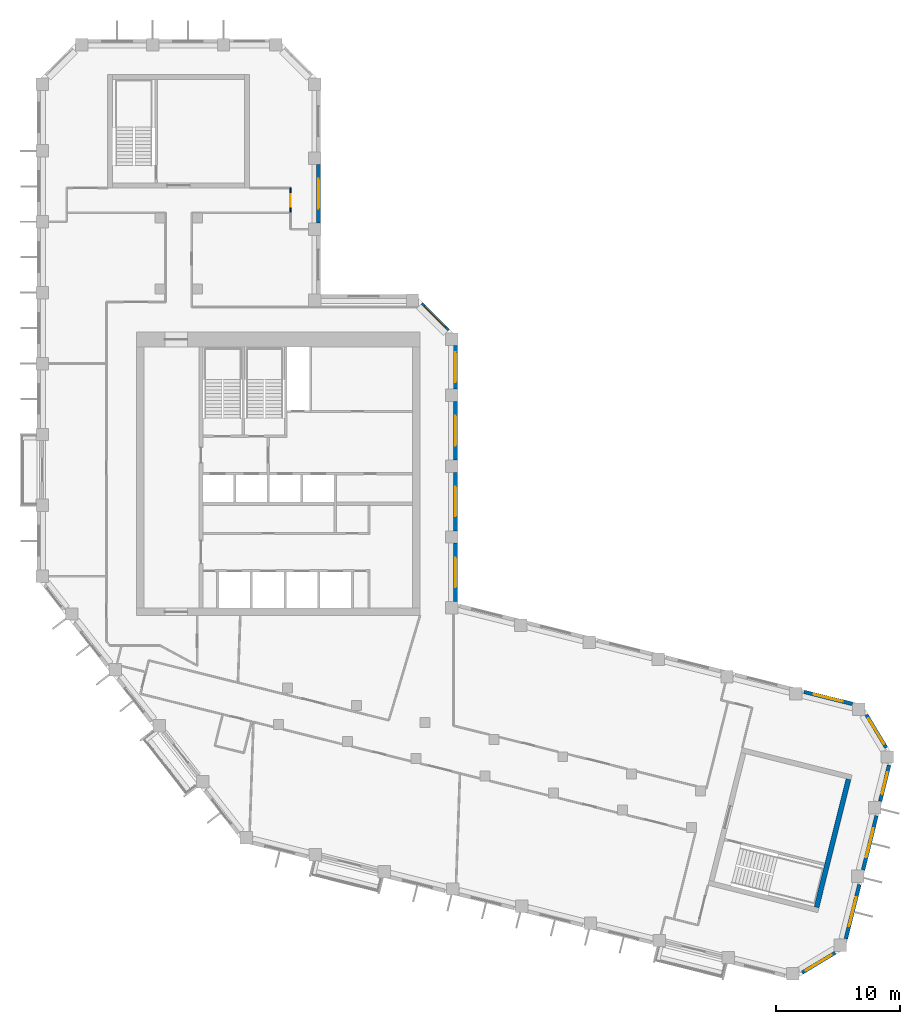
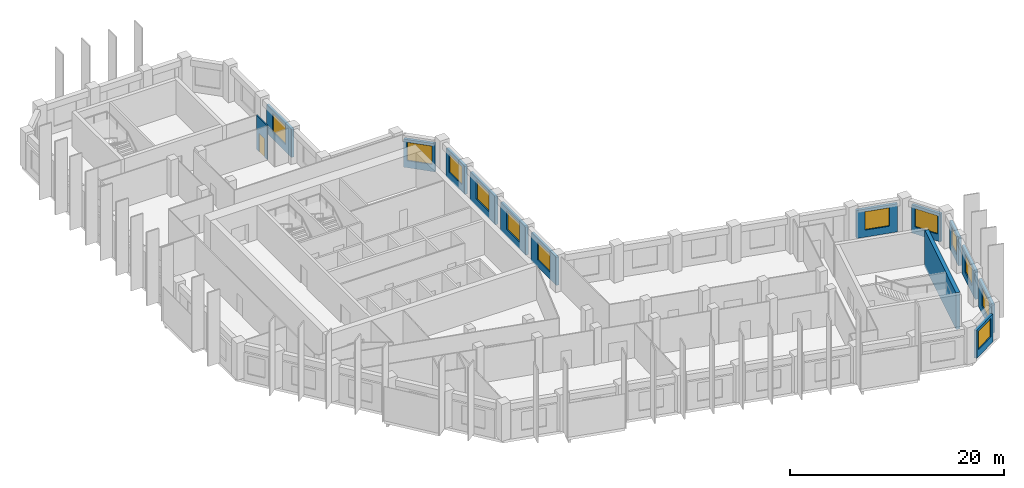
# One storey, part 7 of 9: 14 walls, 12 windows, 1 door, 13 openings.
"""IFC4 building model written with IfcOpenShell, lengths in metres."""

from ifc_helpers import new_model, si_unit, direction, frame, frame_2d, origin, place, context, subcontext, project, spatial, rectangle, extrude, material, layer, layer_set, type_object, element, fill, save


model = new_model("IFC4")

# Units and contexts
model_context = context("Model", 3, precision=1e-05, world=origin(), true_north=direction((0.0, 1.0)))
body_context = subcontext(model_context, "Body", "Model", "MODEL_VIEW")
ifc_project = project(units=[si_unit("LENGTHUNIT", "METRE"), si_unit("AREAUNIT", "SQUARE_METRE"), si_unit("VOLUMEUNIT", "CUBIC_METRE"), si_unit("PLANEANGLEUNIT", "RADIAN"), si_unit("MASSUNIT", "GRAM", prefix="KILO")], contexts=[model_context])

# Site, building, storey
site_placement = place(None, origin())
site = spatial("IfcSite", under=ifc_project, at=site_placement, CompositionType="ELEMENT")
building_placement = place(site_placement, origin())
building = spatial("IfcBuilding", under=site, at=building_placement, Name="Meshkara Civic Tower", CompositionType="ELEMENT")
storey_placement = place(building_placement, frame((0.0, 0.0, 340.199951171875)))
storey = spatial("IfcBuildingStorey", under=building, at=storey_placement, Name="L78", CompositionType="ELEMENT", Elevation=340.199951171875)

# Wall, opening, door
ifc_material_1 = material(Name="Corridor wall 100")
ifc_layer_1 = layer(ifc_material_1, 0.10009765625)
ifc_layer_set_1 = layer_set([ifc_layer_1], Name="Corridor wall 100")
wall_type_1 = type_object("IfcWallType", Name="Corridor wall 100", PredefinedType="PARTITIONING", material=ifc_layer_set_1)
wall_1_placement = place(storey_placement, frame((20.39990234375, 46.469970703125, 0.0), z_axis=(0.0, 0.0, 1.0), x_axis=(0.0, 1.0, 0.0)))
wall_1 = element("IfcWall", 1, at=wall_1_placement, inside=storey, type_object=wall_type_1, Name="L78-W018", PredefinedType="PARTITIONING", context=body_context, shape_type="SweptSolid", body=[
    extrude(rectangle(XDim=2.0, YDim=0.10009765625, at=frame_2d((1.0, 0.0))), origin(), (0.0, 0.0, 1.0), 3.900146484375),
])
opening_1_placement = place(wall_1_placement, frame((0.47998046875, 0.0, 0.0)))
opening_1 = element("IfcOpeningElement", 2, at=opening_1_placement, cuts=wall_1, Name="Opening L78-D017", PredefinedType="OPENING", context=body_context, shape_type="SweptSolid", body=[
    extrude(rectangle(XDim=1.0, YDim=2.10009765625, at=frame_2d((0.5, 1.050048828125))), frame((0.0, 0.06005859375, 0.0), z_axis=(0.0, -1.0, 0.0), x_axis=(1.0, 0.0, 0.0)), (0.0, 0.0, 1.0), 0.1201171875),
])
ifc_material_2 = material(Name="Door 1000 x 2100")
door_type = type_object("IfcDoorType", Name="Door 1000 x 2100", OperationType="SINGLE_SWING_LEFT", PredefinedType="DOOR", material=ifc_material_2)
door_placement = place(opening_1_placement, origin())
door = element("IfcDoor", 3, at=door_placement, inside=storey, type_object=door_type, Name="L78-D017", OperationType="SINGLE_SWING_RIGHT", OverallHeight=2.10009765625, OverallWidth=1.0, PredefinedType="DOOR", context=body_context, shape_type="SweptSolid", body=[
    extrude(rectangle(XDim=1.0, YDim=2.10009765625, at=frame_2d((0.5, 1.050048828125))), frame((0.0, 0.02490234375, 0.0), z_axis=(0.0, -1.0, 0.0), x_axis=(1.0, 0.0, 0.0)), (0.0, 0.0, 1.0), 0.050048828125),
])
fill(opening_1, door)

# Wall, opening, window
ifc_material_3 = material(Name="Insulated infill panel with bronze anodised aluminium cladding", Category="aluminium")
ifc_layer_2 = layer(ifc_material_3, 0.300048828125)
ifc_layer_set_2 = layer_set([ifc_layer_2], Name="EXTERNAL INFILL WALL 300")
wall_type_2 = type_object("IfcWallType", Name="EXTERNAL INFILL WALL 300", PredefinedType="SOLIDWALL", material=ifc_layer_set_2)
wall_2_placement = place(storey_placement, frame((65.548095703125, 7.0, 0.0), z_axis=(0.0, 0.0, 1.0), x_axis=(-0.970260773365, 0.242062040951, 0.0)))
wall_2 = element("IfcWall", 4, at=wall_2_placement, inside=storey, type_object=wall_type_2, Name="External wall", PredefinedType="SOLIDWALL", context=body_context, shape_type="SweptSolid", body=[
    extrude(rectangle(XDim=4.003173828125, YDim=0.300048828125, at=frame_2d((2.00146484375, 0.0))), origin(), (0.0, 0.0, 1.0), 3.199951171875),
])
opening_2_placement = place(wall_2_placement, frame((0.801025390625, 0.0, 0.800048828125)))
opening_2 = element("IfcOpeningElement", 5, at=opening_2_placement, cuts=wall_2, Name="Opening W7", PredefinedType="OPENING", context=body_context, shape_type="SweptSolid", body=[
    extrude(rectangle(XDim=2.39990234375, YDim=2.10009765625, at=frame_2d((1.199951171875, 1.050048828125))), frame((0.0, 0.159912109375, 0.0), z_axis=(0.0, -1.0, 0.0), x_axis=(1.0, 0.0, 0.0)), (0.0, 0.0, 1.0), 0.320068359375),
])
ifc_material_4 = material(Name="Tinted double glazing", Category="glass")
window_type_1 = type_object("IfcWindowType", Name="WINDOW 2400x2100", PartitioningType="DOUBLE_PANEL_VERTICAL", PredefinedType="WINDOW", material=ifc_material_4)
window_1_placement = place(opening_2_placement, origin())
window_1 = element("IfcWindow", 6, at=window_1_placement, inside=storey, type_object=window_type_1, Name="Window", OverallHeight=2.10009765625, OverallWidth=2.39990234375, PartitioningType="DOUBLE_PANEL_VERTICAL", PredefinedType="WINDOW", context=body_context, shape_type="SweptSolid", body=[
    extrude(rectangle(XDim=2.39990234375, YDim=2.10009765625, at=frame_2d((1.199951171875, 1.050048828125))), frame((0.0, 0.030029296875, 0.0), z_axis=(0.0, -1.0, 0.0), x_axis=(1.0, 0.0, 0.0)), (0.0, 0.0, 1.0), 0.06005859375),
])
fill(opening_2, window_1)

wall_3_placement = place(storey_placement, frame((33.64990234375, 15.218994140625, 0.0), z_axis=(0.0, 0.0, 1.0), x_axis=(0.0, 1.0, 0.0)))
wall_3 = element("IfcWall", 7, at=wall_3_placement, inside=storey, type_object=wall_type_2, Name="External wall", PredefinedType="SOLIDWALL", context=body_context, shape_type="SweptSolid", body=[
    extrude(rectangle(XDim=4.699951171875, YDim=0.300048828125, at=frame_2d((2.35009765625, 0.0))), origin(), (0.0, 0.0, 1.0), 3.199951171875),
])
opening_3_placement = place(wall_3_placement, frame((1.14990234375, 0.0, 0.800048828125)))
opening_3 = element("IfcOpeningElement", 8, at=opening_3_placement, cuts=wall_3, Name="Opening W7", PredefinedType="OPENING", context=body_context, shape_type="SweptSolid", body=[
    extrude(rectangle(XDim=2.39990234375, YDim=2.10009765625, at=frame_2d((1.199951171875, 1.050048828125))), frame((0.0, 0.159912109375, 0.0), z_axis=(0.0, -1.0, 0.0), x_axis=(1.0, 0.0, 0.0)), (0.0, 0.0, 1.0), 0.320068359375),
])
window_2_placement = place(opening_3_placement, origin())
window_2 = element("IfcWindow", 9, at=window_2_placement, inside=storey, type_object=window_type_1, Name="Window", OverallHeight=2.10009765625, OverallWidth=2.39990234375, PartitioningType="DOUBLE_PANEL_VERTICAL", PredefinedType="WINDOW", context=body_context, shape_type="SweptSolid", body=[
    extrude(rectangle(XDim=2.39990234375, YDim=2.10009765625, at=frame_2d((1.199951171875, 1.050048828125))), frame((0.0, 0.030029296875, 0.0), z_axis=(0.0, -1.0, 0.0), x_axis=(1.0, 0.0, 0.0)), (0.0, 0.0, 1.0), 0.06005859375),
])
fill(opening_3, window_2)

wall_4_placement = place(storey_placement, frame((33.64990234375, 20.9189453125, 0.0), z_axis=(0.0, 0.0, 1.0), x_axis=(0.0, 1.0, 0.0)))
wall_4 = element("IfcWall", 10, at=wall_4_placement, inside=storey, type_object=wall_type_2, Name="External wall", PredefinedType="SOLIDWALL", context=body_context, shape_type="SweptSolid", body=[
    extrude(rectangle(XDim=4.699951171875, YDim=0.300048828125, at=frame_2d((2.35009765625, 0.0))), origin(), (0.0, 0.0, 1.0), 3.199951171875),
])
opening_4_placement = place(wall_4_placement, frame((1.14990234375, 0.0, 0.800048828125)))
opening_4 = element("IfcOpeningElement", 11, at=opening_4_placement, cuts=wall_4, Name="Opening W7", PredefinedType="OPENING", context=body_context, shape_type="SweptSolid", body=[
    extrude(rectangle(XDim=2.39990234375, YDim=2.10009765625, at=frame_2d((1.199951171875, 1.050048828125))), frame((0.0, 0.159912109375, 0.0), z_axis=(0.0, -1.0, 0.0), x_axis=(1.0, 0.0, 0.0)), (0.0, 0.0, 1.0), 0.320068359375),
])
window_3_placement = place(opening_4_placement, origin())
window_3 = element("IfcWindow", 12, at=window_3_placement, inside=storey, type_object=window_type_1, Name="Window", OverallHeight=2.10009765625, OverallWidth=2.39990234375, PartitioningType="DOUBLE_PANEL_VERTICAL", PredefinedType="WINDOW", context=body_context, shape_type="SweptSolid", body=[
    extrude(rectangle(XDim=2.39990234375, YDim=2.10009765625, at=frame_2d((1.199951171875, 1.050048828125))), frame((0.0, 0.030029296875, 0.0), z_axis=(0.0, -1.0, 0.0), x_axis=(1.0, 0.0, 0.0)), (0.0, 0.0, 1.0), 0.06005859375),
])
fill(opening_4, window_3)

wall_5_placement = place(storey_placement, frame((33.64990234375, 26.618896484375, 0.0), z_axis=(0.0, 0.0, 1.0), x_axis=(0.0, 1.0, 0.0)))
wall_5 = element("IfcWall", 13, at=wall_5_placement, inside=storey, type_object=wall_type_2, Name="External wall", PredefinedType="SOLIDWALL", context=body_context, shape_type="SweptSolid", body=[
    extrude(rectangle(XDim=4.7001953125, YDim=0.300048828125, at=frame_2d((2.35009765625, 0.0))), origin(), (0.0, 0.0, 1.0), 3.199951171875),
])
opening_5_placement = place(wall_5_placement, frame((1.14990234375, 0.0, 0.800048828125)))
opening_5 = element("IfcOpeningElement", 14, at=opening_5_placement, cuts=wall_5, Name="Opening W7", PredefinedType="OPENING", context=body_context, shape_type="SweptSolid", body=[
    extrude(rectangle(XDim=2.39990234375, YDim=2.10009765625, at=frame_2d((1.199951171875, 1.050048828125))), frame((0.0, 0.159912109375, 0.0), z_axis=(0.0, -1.0, 0.0), x_axis=(1.0, 0.0, 0.0)), (0.0, 0.0, 1.0), 0.320068359375),
])
window_4_placement = place(opening_5_placement, origin())
window_4 = element("IfcWindow", 15, at=window_4_placement, inside=storey, type_object=window_type_1, Name="Window", OverallHeight=2.10009765625, OverallWidth=2.39990234375, PartitioningType="DOUBLE_PANEL_VERTICAL", PredefinedType="WINDOW", context=body_context, shape_type="SweptSolid", body=[
    extrude(rectangle(XDim=2.39990234375, YDim=2.10009765625, at=frame_2d((1.199951171875, 1.050048828125))), frame((0.0, 0.030029296875, 0.0), z_axis=(0.0, -1.0, 0.0), x_axis=(1.0, 0.0, 0.0)), (0.0, 0.0, 1.0), 0.06005859375),
])
fill(opening_5, window_4)

wall_6_placement = place(storey_placement, frame((33.64990234375, 32.319091796875, 0.0), z_axis=(0.0, 0.0, 1.0), x_axis=(0.0, 1.0, 0.0)))
wall_6 = element("IfcWall", 16, at=wall_6_placement, inside=storey, type_object=wall_type_2, Name="External wall", PredefinedType="SOLIDWALL", context=body_context, shape_type="SweptSolid", body=[
    extrude(rectangle(XDim=3.474853515625, YDim=0.300048828125, at=frame_2d((1.7373046875, 0.0))), origin(), (0.0, 0.0, 1.0), 3.199951171875),
])
opening_6_placement = place(wall_6_placement, frame((0.5380859375, 0.0, 0.800048828125)))
opening_6 = element("IfcOpeningElement", 17, at=opening_6_placement, cuts=wall_6, Name="Opening W7", PredefinedType="OPENING", context=body_context, shape_type="SweptSolid", body=[
    extrude(rectangle(XDim=2.39990234375, YDim=2.10009765625, at=frame_2d((1.199951171875, 1.050048828125))), frame((0.0, 0.159912109375, 0.0), z_axis=(0.0, -1.0, 0.0), x_axis=(1.0, 0.0, 0.0)), (0.0, 0.0, 1.0), 0.320068359375),
])
window_5_placement = place(opening_6_placement, origin())
window_5 = element("IfcWindow", 18, at=window_5_placement, inside=storey, type_object=window_type_1, Name="Window", OverallHeight=2.10009765625, OverallWidth=2.39990234375, PartitioningType="DOUBLE_PANEL_VERTICAL", PredefinedType="WINDOW", context=body_context, shape_type="SweptSolid", body=[
    extrude(rectangle(XDim=2.39990234375, YDim=2.10009765625, at=frame_2d((1.199951171875, 1.050048828125))), frame((0.0, 0.030029296875, 0.0), z_axis=(0.0, -1.0, 0.0), x_axis=(1.0, 0.0, 0.0)), (0.0, 0.0, 1.0), 0.06005859375),
])
fill(opening_6, window_5)

wall_7_placement = place(storey_placement, frame((33.06201171875, 37.006103515625, 0.0), z_axis=(0.0, 0.0, 1.0), x_axis=(-0.707106781187, 0.707106781187, 0.0)))
wall_7 = element("IfcWall", 19, at=wall_7_placement, inside=storey, type_object=wall_type_2, Name="External wall", PredefinedType="SOLIDWALL", context=body_context, shape_type="SweptSolid", body=[
    extrude(rectangle(XDim=3.049072265625, YDim=0.300048828125, at=frame_2d((1.5244140625, 0.0))), origin(), (0.0, 0.0, 1.0), 3.199951171875),
])
opening_7_placement = place(wall_7_placement, frame((0.324951171875, 0.0, 0.800048828125)))
opening_7 = element("IfcOpeningElement", 20, at=opening_7_placement, cuts=wall_7, Name="Opening W7", PredefinedType="OPENING", context=body_context, shape_type="SweptSolid", body=[
    extrude(rectangle(XDim=2.39990234375, YDim=2.10009765625, at=frame_2d((1.199951171875, 1.050048828125))), frame((0.0, 0.159912109375, 0.0), z_axis=(0.0, -1.0, 0.0), x_axis=(1.0, 0.0, 0.0)), (0.0, 0.0, 1.0), 0.320068359375),
])
window_6_placement = place(opening_7_placement, origin())
window_6 = element("IfcWindow", 21, at=window_6_placement, inside=storey, type_object=window_type_1, Name="Window", OverallHeight=2.10009765625, OverallWidth=2.39990234375, PartitioningType="DOUBLE_PANEL_VERTICAL", PredefinedType="WINDOW", context=body_context, shape_type="SweptSolid", body=[
    extrude(rectangle(XDim=2.39990234375, YDim=2.10009765625, at=frame_2d((1.199951171875, 1.050048828125))), frame((0.0, 0.030029296875, 0.0), z_axis=(0.0, -1.0, 0.0), x_axis=(1.0, 0.0, 0.0)), (0.0, 0.0, 1.0), 0.06005859375),
])
fill(opening_7, window_6)

wall_8_placement = place(storey_placement, frame((22.64990234375, 45.64990234375, 0.0), z_axis=(0.0, 0.0, 1.0), x_axis=(0.0, 1.0, 0.0)))
wall_8 = element("IfcWall", 22, at=wall_8_placement, inside=storey, type_object=wall_type_2, Name="External wall", PredefinedType="SOLIDWALL", context=body_context, shape_type="SweptSolid", body=[
    extrude(rectangle(XDim=4.7001953125, YDim=0.300048828125, at=frame_2d((2.35009765625, 0.0))), origin(), (0.0, 0.0, 1.0), 3.199951171875),
])
opening_8_placement = place(wall_8_placement, frame((1.14990234375, 0.0, 0.800048828125)))
opening_8 = element("IfcOpeningElement", 23, at=opening_8_placement, cuts=wall_8, Name="Opening W7", PredefinedType="OPENING", context=body_context, shape_type="SweptSolid", body=[
    extrude(rectangle(XDim=2.39990234375, YDim=2.10009765625, at=frame_2d((1.199951171875, 1.050048828125))), frame((0.0, 0.159912109375, 0.0), z_axis=(0.0, -1.0, 0.0), x_axis=(1.0, 0.0, 0.0)), (0.0, 0.0, 1.0), 0.320068359375),
])
window_7_placement = place(opening_8_placement, origin())
window_7 = element("IfcWindow", 24, at=window_7_placement, inside=storey, type_object=window_type_1, Name="Window", OverallHeight=2.10009765625, OverallWidth=2.39990234375, PartitioningType="DOUBLE_PANEL_VERTICAL", PredefinedType="WINDOW", context=body_context, shape_type="SweptSolid", body=[
    extrude(rectangle(XDim=2.39990234375, YDim=2.10009765625, at=frame_2d((1.199951171875, 1.050048828125))), frame((0.0, 0.030029296875, 0.0), z_axis=(0.0, -1.0, 0.0), x_axis=(1.0, 0.0, 0.0)), (0.0, 0.0, 1.0), 0.06005859375),
])
fill(opening_8, window_7)

wall_9_placement = place(storey_placement, frame((61.509033203125, -14.591064453125, 0.0), z_axis=(0.0, 0.0, 1.0), x_axis=(0.856969799001, 0.515366630275, 0.0)))
wall_9 = element("IfcWall", 25, at=wall_9_placement, inside=storey, type_object=wall_type_2, Name="External wall", PredefinedType="SOLIDWALL", context=body_context, shape_type="SweptSolid", body=[
    extrude(rectangle(XDim=3.091064453125, YDim=0.300048828125, at=frame_2d((1.54541015625, 0.0))), origin(), (0.0, 0.0, 1.0), 3.199951171875),
])
opening_9_placement = place(wall_9_placement, frame((0.344970703125, 0.0, 0.800048828125)))
opening_9 = element("IfcOpeningElement", 26, at=opening_9_placement, cuts=wall_9, Name="Opening W7", PredefinedType="OPENING", context=body_context, shape_type="SweptSolid", body=[
    extrude(rectangle(XDim=2.39990234375, YDim=2.10009765625, at=frame_2d((1.199951171875, 1.050048828125))), frame((0.0, 0.159912109375, 0.0), z_axis=(0.0, -1.0, 0.0), x_axis=(1.0, 0.0, 0.0)), (0.0, 0.0, 1.0), 0.320068359375),
])
window_8_placement = place(opening_9_placement, origin())
window_8 = element("IfcWindow", 27, at=window_8_placement, inside=storey, type_object=window_type_1, Name="Window", OverallHeight=2.10009765625, OverallWidth=2.39990234375, PartitioningType="DOUBLE_PANEL_VERTICAL", PredefinedType="WINDOW", context=body_context, shape_type="SweptSolid", body=[
    extrude(rectangle(XDim=2.39990234375, YDim=2.10009765625, at=frame_2d((1.199951171875, 1.050048828125))), frame((0.0, 0.030029296875, 0.0), z_axis=(0.0, -1.0, 0.0), x_axis=(1.0, 0.0, 0.0)), (0.0, 0.0, 1.0), 0.06005859375),
])
fill(opening_9, window_8)

wall_10_placement = place(storey_placement, frame((65.029052734375, -11.8720703125, 0.0), z_axis=(0.0, 0.0, 1.0), x_axis=(0.241946839653, 0.970289506684, 0.0)))
wall_10 = element("IfcWall", 28, at=wall_10_placement, inside=storey, type_object=wall_type_2, Name="External wall", PredefinedType="SOLIDWALL", context=body_context, shape_type="SweptSolid", body=[
    extrude(rectangle(XDim=4.48828125, YDim=0.300048828125, at=frame_2d((2.244140625, 0.0))), origin(), (0.0, 0.0, 1.0), 3.199951171875),
])
opening_10_placement = place(wall_10_placement, frame((1.0439453125, 0.0, 0.800048828125)))
opening_10 = element("IfcOpeningElement", 29, at=opening_10_placement, cuts=wall_10, Name="Opening W7", PredefinedType="OPENING", context=body_context, shape_type="SweptSolid", body=[
    extrude(rectangle(XDim=2.39990234375, YDim=2.10009765625, at=frame_2d((1.199951171875, 1.050048828125))), frame((0.0, 0.159912109375, 0.0), z_axis=(0.0, -1.0, 0.0), x_axis=(1.0, 0.0, 0.0)), (0.0, 0.0, 1.0), 0.320068359375),
])
window_9_placement = place(opening_10_placement, origin())
window_9 = element("IfcWindow", 30, at=window_9_placement, inside=storey, type_object=window_type_1, Name="Window", OverallHeight=2.10009765625, OverallWidth=2.39990234375, PartitioningType="DOUBLE_PANEL_VERTICAL", PredefinedType="WINDOW", context=body_context, shape_type="SweptSolid", body=[
    extrude(rectangle(XDim=2.39990234375, YDim=2.10009765625, at=frame_2d((1.199951171875, 1.050048828125))), frame((0.0, 0.030029296875, 0.0), z_axis=(0.0, -1.0, 0.0), x_axis=(1.0, 0.0, 0.0)), (0.0, 0.0, 1.0), 0.06005859375),
])
fill(opening_10, window_9)

wall_11_placement = place(storey_placement, frame((66.407958984375, -6.341064453125, 0.0), z_axis=(0.0, 0.0, 1.0), x_axis=(0.241997928406, 0.970276766004, 0.0)))
wall_11 = element("IfcWall", 31, at=wall_11_placement, inside=storey, type_object=wall_type_2, Name="External wall", PredefinedType="SOLIDWALL", context=body_context, shape_type="SweptSolid", body=[
    extrude(rectangle(XDim=4.4873046875, YDim=0.300048828125, at=frame_2d((2.24365234375, 0.0))), origin(), (0.0, 0.0, 1.0), 3.199951171875),
])
opening_11_placement = place(wall_11_placement, frame((1.0439453125, 0.0, 0.800048828125)))
opening_11 = element("IfcOpeningElement", 32, at=opening_11_placement, cuts=wall_11, Name="Opening W7", PredefinedType="OPENING", context=body_context, shape_type="SweptSolid", body=[
    extrude(rectangle(XDim=2.39990234375, YDim=2.10009765625, at=frame_2d((1.199951171875, 1.050048828125))), frame((0.0, 0.159912109375, 0.0), z_axis=(0.0, -1.0, 0.0), x_axis=(1.0, 0.0, 0.0)), (0.0, 0.0, 1.0), 0.320068359375),
])
window_10_placement = place(opening_11_placement, origin())
window_10 = element("IfcWindow", 33, at=window_10_placement, inside=storey, type_object=window_type_1, Name="Window", OverallHeight=2.10009765625, OverallWidth=2.39990234375, PartitioningType="DOUBLE_PANEL_VERTICAL", PredefinedType="WINDOW", context=body_context, shape_type="SweptSolid", body=[
    extrude(rectangle(XDim=2.39990234375, YDim=2.10009765625, at=frame_2d((1.199951171875, 1.050048828125))), frame((0.0, 0.030029296875, 0.0), z_axis=(0.0, -1.0, 0.0), x_axis=(1.0, 0.0, 0.0)), (0.0, 0.0, 1.0), 0.06005859375),
])
fill(opening_11, window_10)

wall_12_placement = place(storey_placement, frame((67.787109375, -0.81103515625, 0.0), z_axis=(0.0, 0.0, 1.0), x_axis=(0.242052773757, 0.970263085311, 0.0)))
wall_12 = element("IfcWall", 34, at=wall_12_placement, inside=storey, type_object=wall_type_2, Name="External wall", PredefinedType="SOLIDWALL", context=body_context, shape_type="SweptSolid", body=[
    extrude(rectangle(XDim=2.974365234375, YDim=0.300048828125, at=frame_2d((1.4873046875, 0.0))), origin(), (0.0, 0.0, 1.0), 3.199951171875),
])
opening_12_placement = place(wall_12_placement, frame((0.5869140625, 0.0, 0.800048828125)))
opening_12 = element("IfcOpeningElement", 35, at=opening_12_placement, cuts=wall_12, Name="Opening W9", PredefinedType="OPENING", context=body_context, shape_type="SweptSolid", body=[
    extrude(rectangle(XDim=1.800048828125, YDim=2.10009765625, at=frame_2d((0.89990234375, 1.050048828125))), frame((0.0, 0.159912109375, 0.0), z_axis=(0.0, -1.0, 0.0), x_axis=(1.0, 0.0, 0.0)), (0.0, 0.0, 1.0), 0.320068359375),
])
ifc_material_5 = material(Name="Tinted double glazing", Category="glass")
window_type_2 = type_object("IfcWindowType", Name="WINDOW 1800x2100", PartitioningType="DOUBLE_PANEL_VERTICAL", PredefinedType="WINDOW", material=ifc_material_5)
window_11_placement = place(opening_12_placement, origin())
window_11 = element("IfcWindow", 36, at=window_11_placement, inside=storey, type_object=window_type_2, Name="Window", OverallHeight=2.10009765625, OverallWidth=1.800048828125, PartitioningType="DOUBLE_PANEL_VERTICAL", PredefinedType="WINDOW", context=body_context, shape_type="SweptSolid", body=[
    extrude(rectangle(XDim=1.800048828125, YDim=2.10009765625, at=frame_2d((0.89990234375, 1.050048828125))), frame((0.0, 0.030029296875, 0.0), z_axis=(0.0, -1.0, 0.0), x_axis=(1.0, 0.0, 0.0)), (0.0, 0.0, 1.0), 0.06005859375),
])
fill(opening_12, window_11)

wall_13_placement = place(storey_placement, frame((68.26611328125, 3.47900390625, 0.0), z_axis=(0.0, 0.0, 1.0), x_axis=(-0.514995068029, 0.857193140375, 0.0)))
wall_13 = element("IfcWall", 37, at=wall_13_placement, inside=storey, type_object=wall_type_2, Name="External wall", PredefinedType="SOLIDWALL", context=body_context, shape_type="SweptSolid", body=[
    extrude(rectangle(XDim=3.09130859375, YDim=0.300048828125, at=frame_2d((1.545654296875, 0.0))), origin(), (0.0, 0.0, 1.0), 3.199951171875),
])
opening_13_placement = place(wall_13_placement, frame((0.345947265625, 0.0, 0.800048828125)))
opening_13 = element("IfcOpeningElement", 38, at=opening_13_placement, cuts=wall_13, Name="Opening W7", PredefinedType="OPENING", context=body_context, shape_type="SweptSolid", body=[
    extrude(rectangle(XDim=2.39990234375, YDim=2.10009765625, at=frame_2d((1.199951171875, 1.050048828125))), frame((0.0, 0.159912109375, 0.0), z_axis=(0.0, -1.0, 0.0), x_axis=(1.0, 0.0, 0.0)), (0.0, 0.0, 1.0), 0.320068359375),
])
window_12_placement = place(opening_13_placement, origin())
window_12 = element("IfcWindow", 39, at=window_12_placement, inside=storey, type_object=window_type_1, Name="Window", OverallHeight=2.10009765625, OverallWidth=2.39990234375, PartitioningType="DOUBLE_PANEL_VERTICAL", PredefinedType="WINDOW", context=body_context, shape_type="SweptSolid", body=[
    extrude(rectangle(XDim=2.39990234375, YDim=2.10009765625, at=frame_2d((1.199951171875, 1.050048828125))), frame((0.0, 0.030029296875, 0.0), z_axis=(0.0, -1.0, 0.0), x_axis=(1.0, 0.0, 0.0)), (0.0, 0.0, 1.0), 0.06005859375),
])
fill(opening_13, window_12)

# Wall
ifc_material_6 = material(Name="Concrete C60", Category="concrete")
ifc_layer_3 = layer(ifc_material_6, 0.39990234375)
ifc_layer_set_3 = layer_set([ifc_layer_3], Name="End core ring wall 400 C60")
wall_type_3 = type_object("IfcWallType", Name="End core ring wall 400 C60", PredefinedType="SHEAR", material=ifc_layer_set_3)
wall_14_placement = place(storey_placement, frame((62.672119140625, -9.339111328125, -0.300048828125), z_axis=(0.0, 0.0, 1.0), x_axis=(0.241971982666, 0.970283236795, 0.0)))
element("IfcWall", 40, at=wall_14_placement, inside=storey, type_object=wall_type_3, Name="L78-C034", PredefinedType="SHEAR", context=body_context, shape_type="SweptSolid", body=[
    extrude(rectangle(XDim=10.60009765625, YDim=0.39990234375, at=frame_2d((5.300048828125, 0.0))), origin(), (0.0, 0.0, 1.0), 4.2001953125),
])

save(model, "model.ifc")
